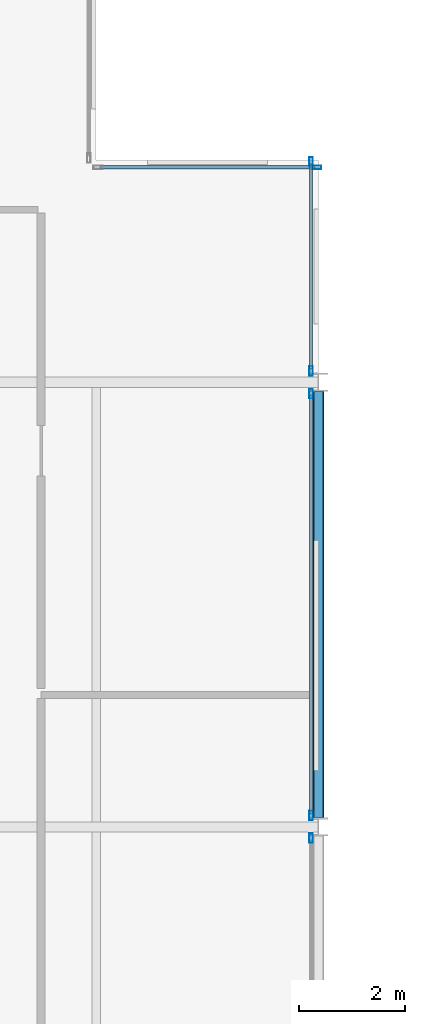
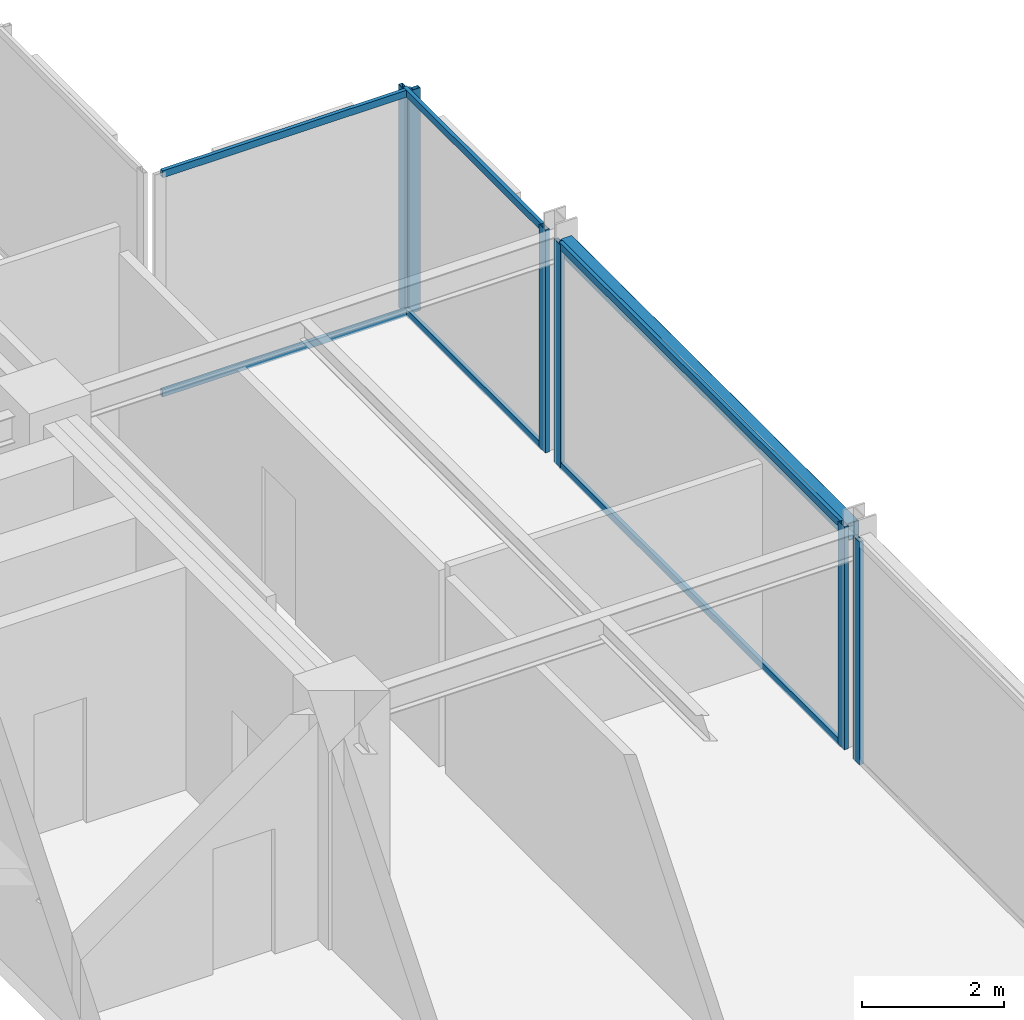
# One storey, part 22 of 29: 12 members, 1 beam, 4 elements without a shape of their own.
"""IFC4 building model written with IfcOpenShell, lengths in metres."""

from ifc_helpers import new_model, si_unit, direction, frame, origin, origin_2d, place, context, subcontext, project, spatial, hollow_rectangle, extrude, material, layer, layer_set, material_profile, profile_set, type_object, element, aggregate, save


model = new_model("IFC4")

# Units and contexts
model_context = context("Model", 3, precision=1e-05, world=origin(), true_north=direction((0.0, 1.0)))
body_context = subcontext(model_context, "Body", "Model", "MODEL_VIEW")
ifc_project = project(units=[si_unit("LENGTHUNIT", "METRE"), si_unit("AREAUNIT", "SQUARE_METRE"), si_unit("VOLUMEUNIT", "CUBIC_METRE"), si_unit("PLANEANGLEUNIT", "RADIAN"), si_unit("MASSUNIT", "GRAM", prefix="KILO")], contexts=[model_context])

# Site, building, storey
site_placement = place(None, origin())
site = spatial("IfcSite", under=ifc_project, at=site_placement, CompositionType="ELEMENT")
building_placement = place(site_placement, origin())
building = spatial("IfcBuilding", under=site, at=building_placement, Name="Nerrivon Quay Data Exchange", CompositionType="ELEMENT")
storey_placement = place(building_placement, frame((0.0, 0.0, 196.0)))
storey = spatial("IfcBuildingStorey", under=building, at=storey_placement, Name="L46", CompositionType="ELEMENT", Elevation=196.0)

# Beam
ifc_material_1 = material(Name="Steel Grade C350L0 (350 MPa)", Category="steel")
ifc_material_profile_1 = material_profile(ifc_material_1, hollow_rectangle(XDim=0.199951171875, YDim=0.300048828125, WallThickness=0.012451171875, InnerFilletRadius=0.018798828125, OuterFilletRadius=0.03125, at=origin_2d()), Name="300x200x12.5RHS")
ifc_profile_set_1 = profile_set([ifc_material_profile_1], Name="Steel Grade C350L0 (350 MPa)")
beam_type = type_object("IfcBeamType", Name="BM-SP3-300x200RHS", PredefinedType="SPANDREL", material=ifc_profile_set_1)
beam_placement = place(storey_placement, frame((25.199951171875, 33.77490234375, 3.675048828125), z_axis=(0.0, 1.0, 0.0), x_axis=(-1.0, 0.0, 0.0)))
element("IfcBeam", 1, at=beam_placement, inside=storey, type_object=beam_type, Name="L46 NS Girder X=25.2 (33.6..42.0)", PredefinedType="SPANDREL", context=body_context, shape_type="SweptSolid", body=[
    extrude(hollow_rectangle(XDim=0.199951171875, YDim=0.300048828125, WallThickness=0.012451171875, InnerFilletRadius=0.018798828125, OuterFilletRadius=0.03125, at=origin_2d()), origin(), (0.0, 0.0, 1.0), 8.050048828125),
])

# Curtain wall, member
ifc_material_2 = material(Name="Anodised aluminium 6063-T6", Category="aluminium")
ifc_layer = layer(ifc_material_2, 0.195068359375)
ifc_layer_set = layer_set([ifc_layer], Name="Anodised aluminium 6063-T6")
curtain_wall_type = type_object("IfcCurtainWallType", Name="CW-SYS-06", PredefinedType="NOTDEFINED", material=ifc_layer_set)
curtain_wall_1_placement = place(storey_placement, origin())
curtain_wall_1 = element("IfcCurtainWall", 2, at=curtain_wall_1_placement, inside=storey, type_object=curtain_wall_type, Name="L46 Unitised Curtain Wall 12", PredefinedType="NOTDEFINED")
ifc_material_profile_2 = material_profile(ifc_material_2, hollow_rectangle(XDim=0.06494140625, YDim=0.179931640625, WallThickness=0.00341796875, at=origin_2d()), Name="ALU-MULL-180x65")
ifc_profile_set_2 = profile_set([ifc_material_profile_2], Name="Anodised aluminium 6063-T6")
member_type_1 = type_object("IfcMemberType", Name="CWM-180x65", PredefinedType="MULLION", material=ifc_profile_set_2)
member_1_placement = place(storey_placement, frame((25.16259765625, 46.06005859375, 0.0), z_axis=(0.0, 0.0, 1.0), x_axis=(0.0, 1.0, 0.0)))
member_1 = element("IfcMember", 3, at=member_1_placement, type_object=member_type_1, Name="CW06 mullion 2", PredefinedType="MULLION", context=body_context, shape_type="SweptSolid", body=[
    extrude(hollow_rectangle(XDim=0.06494140625, YDim=0.179931640625, WallThickness=0.00341796875, at=origin_2d()), origin(), (0.0, 0.0, 1.0), 3.824951171875),
])

# Curtain wall, members
curtain_wall_2_placement = place(storey_placement, origin())
curtain_wall_2 = element("IfcCurtainWall", 4, at=curtain_wall_2_placement, inside=storey, type_object=curtain_wall_type, Name="L46 Unitised Curtain Wall 13", PredefinedType="NOTDEFINED")
member_2_placement = place(storey_placement, frame((25.06005859375, 46.16259765625, 0.0), z_axis=(0.0, 0.0, 1.0), x_axis=(1.0, 0.0, 0.0)))
member_2 = element("IfcMember", 5, at=member_2_placement, type_object=member_type_1, Name="CW06 mullion 1", PredefinedType="MULLION", context=body_context, shape_type="SweptSolid", body=[
    extrude(hollow_rectangle(XDim=0.06494140625, YDim=0.179931640625, WallThickness=0.00341796875, at=origin_2d()), origin(), (0.0, 0.0, 1.0), 3.824951171875),
])
member_3_placement = place(storey_placement, frame((25.06005859375, 42.21240234375, 0.0), z_axis=(0.0, 0.0, 1.0), x_axis=(1.0, 0.0, 0.0)))
member_3 = element("IfcMember", 6, at=member_3_placement, type_object=member_type_1, Name="CW06 mullion 2", PredefinedType="MULLION", context=body_context, shape_type="SweptSolid", body=[
    extrude(hollow_rectangle(XDim=0.06494140625, YDim=0.179931640625, WallThickness=0.00341796875, at=origin_2d()), origin(), (0.0, 0.0, 1.0), 3.824951171875),
])

curtain_wall_3_placement = place(storey_placement, origin())
curtain_wall_3 = element("IfcCurtainWall", 7, at=curtain_wall_3_placement, inside=storey, type_object=curtain_wall_type, Name="L46 Unitised Curtain Wall 14", PredefinedType="NOTDEFINED")
member_4_placement = place(storey_placement, frame((25.06005859375, 41.78759765625, 0.0), z_axis=(0.0, 0.0, 1.0), x_axis=(1.0, 0.0, 0.0)))
member_4 = element("IfcMember", 8, at=member_4_placement, type_object=member_type_1, Name="CW06 mullion 1", PredefinedType="MULLION", context=body_context, shape_type="SweptSolid", body=[
    extrude(hollow_rectangle(XDim=0.06494140625, YDim=0.179931640625, WallThickness=0.00341796875, at=origin_2d()), origin(), (0.0, 0.0, 1.0), 3.824951171875),
])
member_5_placement = place(storey_placement, frame((25.06005859375, 33.8125, 0.0), z_axis=(0.0, 0.0, 1.0), x_axis=(1.0, 0.0, 0.0)))
member_5 = element("IfcMember", 9, at=member_5_placement, type_object=member_type_1, Name="CW06 mullion 2", PredefinedType="MULLION", context=body_context, shape_type="SweptSolid", body=[
    extrude(hollow_rectangle(XDim=0.06494140625, YDim=0.179931640625, WallThickness=0.00341796875, at=origin_2d()), origin(), (0.0, 0.0, 1.0), 3.824951171875),
])

# Curtain wall, member
curtain_wall_4_placement = place(storey_placement, origin())
curtain_wall_4 = element("IfcCurtainWall", 10, at=curtain_wall_4_placement, inside=storey, type_object=curtain_wall_type, Name="L46 Unitised Curtain Wall 15", PredefinedType="NOTDEFINED")
member_6_placement = place(storey_placement, frame((25.06005859375, 33.387451171875, 0.0), z_axis=(0.0, 0.0, 1.0), x_axis=(1.0, 0.0, 0.0)))
member_6 = element("IfcMember", 11, at=member_6_placement, type_object=member_type_1, Name="CW06 mullion 1", PredefinedType="MULLION", context=body_context, shape_type="SweptSolid", body=[
    extrude(hollow_rectangle(XDim=0.06494140625, YDim=0.179931640625, WallThickness=0.00341796875, at=origin_2d()), origin(), (0.0, 0.0, 1.0), 3.824951171875),
])
aggregate(curtain_wall_4, [member_6])

# Member
ifc_material_profile_3 = material_profile(ifc_material_2, hollow_rectangle(XDim=0.06005859375, YDim=0.1201171875, WallThickness=0.003173828125, at=origin_2d()), Name="ALU-TRAN-120x60")
ifc_profile_set_3 = profile_set([ifc_material_profile_3], Name="Anodised aluminium 6063-T6")
member_type_2 = type_object("IfcMemberType", Name="CWT-120x60", PredefinedType="USERDEFINED", material=ifc_profile_set_3)
member_7_placement = place(storey_placement, frame((21.074951171875, 46.06005859375, 0.032470703125), z_axis=(1.0, 0.0, 0.0), x_axis=(0.0, 1.0, 0.0)))
member_7 = element("IfcMember", 12, at=member_7_placement, type_object=member_type_2, Name="CW06 transom 1.1", ObjectType="TRANSOM", PredefinedType="USERDEFINED", context=body_context, shape_type="SweptSolid", body=[
    extrude(hollow_rectangle(XDim=0.06005859375, YDim=0.1201171875, WallThickness=0.003173828125, at=origin_2d()), origin(), (0.0, 0.0, 1.0), 4.050048828125),
])

member_8_placement = place(storey_placement, frame((21.074951171875, 46.06005859375, 3.79248046875), z_axis=(1.0, 0.0, 0.0), x_axis=(0.0, 1.0, 0.0)))
member_8 = element("IfcMember", 13, at=member_8_placement, type_object=member_type_2, Name="CW06 transom 1.2", ObjectType="TRANSOM", PredefinedType="USERDEFINED", context=body_context, shape_type="SweptSolid", body=[
    extrude(hollow_rectangle(XDim=0.06005859375, YDim=0.1201171875, WallThickness=0.003173828125, at=origin_2d()), origin(), (0.0, 0.0, 1.0), 4.050048828125),
])

aggregate(curtain_wall_1, [member_1, member_7, member_8])

member_9_placement = place(storey_placement, frame((25.06005859375, 46.125, 0.032470703125), z_axis=(0.0, -1.0, 0.0), x_axis=(1.0, 0.0, 0.0)))
member_9 = element("IfcMember", 14, at=member_9_placement, type_object=member_type_2, Name="CW06 transom 1.1", ObjectType="TRANSOM", PredefinedType="USERDEFINED", context=body_context, shape_type="SweptSolid", body=[
    extrude(hollow_rectangle(XDim=0.06005859375, YDim=0.1201171875, WallThickness=0.003173828125, at=origin_2d()), origin(), (0.0, 0.0, 1.0), 3.875),
])

member_10_placement = place(storey_placement, frame((25.06005859375, 46.125, 3.79248046875), z_axis=(0.0, -1.0, 0.0), x_axis=(1.0, 0.0, 0.0)))
member_10 = element("IfcMember", 15, at=member_10_placement, type_object=member_type_2, Name="CW06 transom 1.2", ObjectType="TRANSOM", PredefinedType="USERDEFINED", context=body_context, shape_type="SweptSolid", body=[
    extrude(hollow_rectangle(XDim=0.06005859375, YDim=0.1201171875, WallThickness=0.003173828125, at=origin_2d()), origin(), (0.0, 0.0, 1.0), 3.875),
])

aggregate(curtain_wall_2, [member_2, member_3, member_9, member_10])

member_11_placement = place(storey_placement, frame((25.06005859375, 41.75, 0.032470703125), z_axis=(0.0, -1.0, 0.0), x_axis=(1.0, 0.0, 0.0)))
member_11 = element("IfcMember", 16, at=member_11_placement, type_object=member_type_2, Name="CW06 transom 1.1", ObjectType="TRANSOM", PredefinedType="USERDEFINED", context=body_context, shape_type="SweptSolid", body=[
    extrude(hollow_rectangle(XDim=0.06005859375, YDim=0.1201171875, WallThickness=0.003173828125, at=origin_2d()), origin(), (0.0, 0.0, 1.0), 7.89990234375),
])

member_12_placement = place(storey_placement, frame((25.06005859375, 41.75, 3.79248046875), z_axis=(0.0, -1.0, 0.0), x_axis=(1.0, 0.0, 0.0)))
member_12 = element("IfcMember", 17, at=member_12_placement, type_object=member_type_2, Name="CW06 transom 1.2", ObjectType="TRANSOM", PredefinedType="USERDEFINED", context=body_context, shape_type="SweptSolid", body=[
    extrude(hollow_rectangle(XDim=0.06005859375, YDim=0.1201171875, WallThickness=0.003173828125, at=origin_2d()), origin(), (0.0, 0.0, 1.0), 7.89990234375),
])

aggregate(curtain_wall_3, [member_4, member_5, member_11, member_12])

save(model, "model.ifc")
